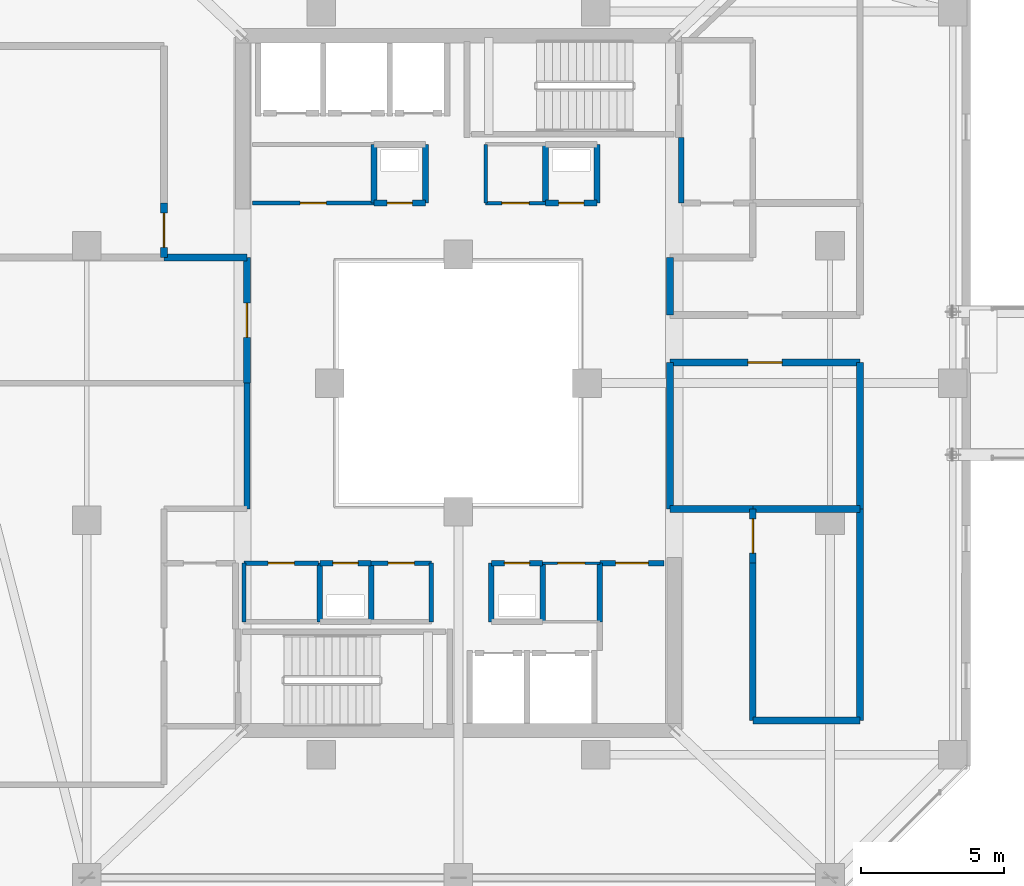
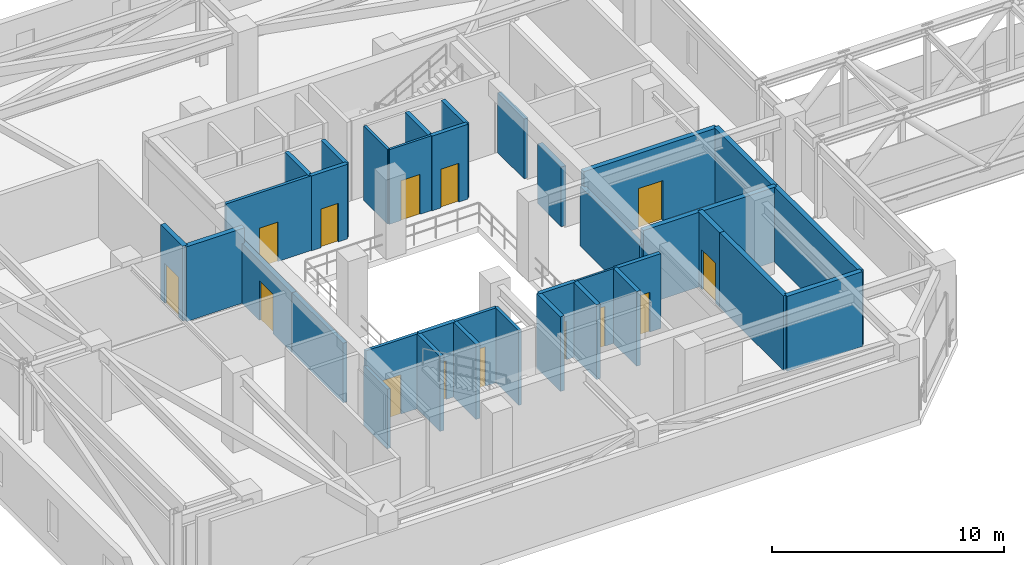
# One storey, part 34 of 42: 37 walls, 14 doors, 14 openings.
"""IFC4 building model written with IfcOpenShell, lengths in metres."""

from ifc_helpers import new_model, si_unit, direction, frame, frame_2d, origin, place, context, subcontext, project, spatial, rectangle, extrude, material, layer, layer_set, type_object, element, fill, save


model = new_model("IFC4")

# Units and contexts
model_context = context("Model", 3, precision=1e-05, world=origin(), true_north=direction((0.0, 1.0)))
body_context = subcontext(model_context, "Body", "Model", "MODEL_VIEW")
ifc_project = project(units=[si_unit("LENGTHUNIT", "METRE"), si_unit("AREAUNIT", "SQUARE_METRE"), si_unit("VOLUMEUNIT", "CUBIC_METRE"), si_unit("PLANEANGLEUNIT", "RADIAN"), si_unit("MASSUNIT", "GRAM", prefix="KILO")], contexts=[model_context])

# Site, building, storey
site_placement = place(None, origin())
site = spatial("IfcSite", under=ifc_project, at=site_placement, CompositionType="ELEMENT")
building_placement = place(site_placement, origin())
building = spatial("IfcBuilding", under=site, at=building_placement, Name="Thornwick Lancets Civic Towers", CompositionType="ELEMENT")
storey_placement = place(building_placement, frame((0.0, 0.0, 221.699951171875)))
storey = spatial("IfcBuildingStorey", under=building, at=storey_placement, Name="L59", CompositionType="ELEMENT", Elevation=221.699951171875)

# Walls
ifc_material_1 = material(Name="Concrete blockwork C40/50", Category="masonry")
ifc_layer_1 = layer(ifc_material_1, 0.199951171875, Name="Concrete blockwork C40/50")
ifc_layer_set_1 = layer_set([ifc_layer_1], Name="Concrete blockwork C40/50")
wall_type_1 = type_object("IfcWallType", Name="WALL_COMP_200", PredefinedType="STANDARD", material=ifc_layer_set_1)
wall_1_placement = place(storey_placement, frame((33.300048828125, 35.60009765625, 0.0), z_axis=(0.0, 0.0, 1.0), x_axis=(0.0, -1.0, 0.0)))
element("IfcWall", 1, at=wall_1_placement, inside=storey, type_object=wall_type_1, Name="L59 Partition L59-A-FFLOB2 E4", PredefinedType="STANDARD", context=body_context, shape_type="SweptSolid", body=[
    extrude(rectangle(XDim=2.300048828125, YDim=0.199951171875, at=frame_2d((1.14990234375, 0.0))), origin(), (0.0, 0.0, 1.0), 3.14501953125),
])
wall_2_placement = place(storey_placement, frame((28.449951171875, 18.64990234375, 0.0), z_axis=(0.0, 0.0, 1.0), x_axis=(0.0, 1.0, 0.0)))
element("IfcWall", 2, at=wall_2_placement, inside=storey, type_object=wall_type_1, Name="L59 Partition L59-A-DUCT1 E2", PredefinedType="STANDARD", context=body_context, shape_type="SweptSolid", body=[
    extrude(rectangle(XDim=2.050048828125, YDim=0.199951171875, at=frame_2d((1.02490234375, 0.0))), origin(), (0.0, 0.0, 1.0), 3.93994140625),
])

# Wall, opening, door
wall_3_placement = place(storey_placement, frame((28.449951171875, 20.699951171875, 0.0), z_axis=(0.0, 0.0, 1.0), x_axis=(-1.0, 0.0, 0.0)))
wall_3 = element("IfcWall", 3, at=wall_3_placement, inside=storey, type_object=wall_type_1, Name="L59 Partition L59-A-DUCT1 E3", PredefinedType="STANDARD", context=body_context, shape_type="SweptSolid", body=[
    extrude(rectangle(XDim=1.800048828125, YDim=0.199951171875, at=frame_2d((0.89990234375, 0.0))), origin(), (0.0, 0.0, 1.0), 3.93994140625),
])
opening_1_placement = place(wall_3_placement, frame((0.4599609375, 0.0, 0.0)))
opening_1 = element("IfcOpeningElement", 4, at=opening_1_placement, cuts=wall_3, Name="Opening D-L59-2641", PredefinedType="OPENING", context=body_context, shape_type="SweptSolid", body=[
    extrude(rectangle(XDim=0.8798828125, YDim=2.0400390625, at=frame_2d((0.43994140625, 1.02001953125))), frame((0.0, 0.10986328125, 0.0), z_axis=(0.0, -1.0, 0.0), x_axis=(1.0, 0.0, 0.0)), (0.0, 0.0, 1.0), 0.219970703125),
])
ifc_material_2 = material(Name="Steel riser access doorset", Category="steel")
door_type_1 = type_object("IfcDoorType", Name="DOOR_RISER_850", OperationType="NOTDEFINED", PredefinedType="DOOR", material=ifc_material_2)
door_1_placement = place(opening_1_placement, origin())
door_1 = element("IfcDoor", 5, at=door_1_placement, inside=storey, type_object=door_type_1, Name="L59 South Service Duct 1 Door", OperationType="SINGLE_SWING_RIGHT", OverallHeight=2.0400390625, OverallWidth=0.8798828125, PredefinedType="DOOR", context=body_context, shape_type="SweptSolid", body=[
    extrude(rectangle(XDim=0.8798828125, YDim=2.0400390625, at=frame_2d((0.43994140625, 1.02001953125))), frame((0.0, 0.02490234375, 0.0), z_axis=(0.0, -1.0, 0.0), x_axis=(1.0, 0.0, 0.0)), (0.0, 0.0, 1.0), 0.050048828125),
])
fill(opening_1, door_1)

# Walls
for number, where, z_axis, x_axis, name in (
    (6, (26.64990234375, 20.699951171875, 0.0), (0.0, 0.0, 1.0), (0.0, -1.0, 0.0), "L59 Partition L59-A-DUCT1 E4"),
    (7, (22.449951171875, 18.64990234375, 0.0), (0.0, 0.0, 1.0), (0.0, 1.0, 0.0), "L59 Partition L59-A-RISER1 E2"),
):
    element("IfcWall", number, at=place(storey_placement, frame(where, z_axis=z_axis, x_axis=x_axis)), inside=storey, type_object=wall_type_1, Name=name, PredefinedType="STANDARD", context=body_context, shape_type="SweptSolid", body=[
        extrude(rectangle(XDim=2.050048828125, YDim=0.199951171875, at=frame_2d((1.02490234375, 0.0))), origin(), (0.0, 0.0, 1.0), 3.93994140625),
    ])

# Wall, opening, door
wall_4_placement = place(storey_placement, frame((22.449951171875, 20.699951171875, 0.0), z_axis=(0.0, 0.0, 1.0), x_axis=(-1.0, 0.0, 0.0)))
wall_4 = element("IfcWall", 8, at=wall_4_placement, inside=storey, type_object=wall_type_1, Name="L59 Partition L59-A-RISER1 E3", PredefinedType="STANDARD", context=body_context, shape_type="SweptSolid", body=[
    extrude(rectangle(XDim=1.800048828125, YDim=0.199951171875, at=frame_2d((0.89990234375, 0.0))), origin(), (0.0, 0.0, 1.0), 3.93994140625),
])
opening_2_placement = place(wall_4_placement, frame((0.4599609375, 0.0, 0.0)))
opening_2 = element("IfcOpeningElement", 9, at=opening_2_placement, cuts=wall_4, Name="Opening D-L59-2642", PredefinedType="OPENING", context=body_context, shape_type="SweptSolid", body=[
    extrude(rectangle(XDim=0.8798828125, YDim=2.0400390625, at=frame_2d((0.43994140625, 1.02001953125))), frame((0.0, 0.10986328125, 0.0), z_axis=(0.0, -1.0, 0.0), x_axis=(1.0, 0.0, 0.0)), (0.0, 0.0, 1.0), 0.219970703125),
])
door_2_placement = place(opening_2_placement, origin())
door_2 = element("IfcDoor", 10, at=door_2_placement, inside=storey, type_object=door_type_1, Name="L59 South Electrical Riser 1 Door", OperationType="SINGLE_SWING_LEFT", OverallHeight=2.0400390625, OverallWidth=0.8798828125, PredefinedType="DOOR", context=body_context, shape_type="SweptSolid", body=[
    extrude(rectangle(XDim=0.8798828125, YDim=2.0400390625, at=frame_2d((0.43994140625, 1.02001953125))), frame((0.0, 0.02490234375, 0.0), z_axis=(0.0, -1.0, 0.0), x_axis=(1.0, 0.0, 0.0)), (0.0, 0.0, 1.0), 0.050048828125),
])
fill(opening_2, door_2)

# Wall
wall_5_placement = place(storey_placement, frame((20.64990234375, 20.699951171875, 0.0), z_axis=(0.0, 0.0, 1.0), x_axis=(0.0, -1.0, 0.0)))
element("IfcWall", 11, at=wall_5_placement, inside=storey, type_object=wall_type_1, Name="L59 Partition L59-A-RISER1 E4", PredefinedType="STANDARD", context=body_context, shape_type="SweptSolid", body=[
    extrude(rectangle(XDim=2.050048828125, YDim=0.199951171875, at=frame_2d((1.02490234375, 0.0))), origin(), (0.0, 0.0, 1.0), 3.93994140625),
])

# Wall, opening, door
wall_6_placement = place(storey_placement, frame((22.550048828125, 33.300048828125, 0.0), z_axis=(0.0, 0.0, 1.0), x_axis=(1.0, 0.0, 0.0)))
wall_6 = element("IfcWall", 12, at=wall_6_placement, inside=storey, type_object=wall_type_1, Name="L59 Partition L59-A-DUCT2 E1", PredefinedType="STANDARD", context=body_context, shape_type="SweptSolid", body=[
    extrude(rectangle(XDim=1.800048828125, YDim=0.199951171875, at=frame_2d((0.89990234375, 0.0))), origin(), (0.0, 0.0, 1.0), 3.93994140625),
])
opening_3_placement = place(wall_6_placement, frame((0.4599609375, 0.0, 0.0)))
opening_3 = element("IfcOpeningElement", 13, at=opening_3_placement, cuts=wall_6, Name="Opening D-L59-2643", PredefinedType="OPENING", context=body_context, shape_type="SweptSolid", body=[
    extrude(rectangle(XDim=0.8798828125, YDim=2.0400390625, at=frame_2d((0.43994140625, 1.02001953125))), frame((0.0, 0.10986328125, 0.0), z_axis=(0.0, -1.0, 0.0), x_axis=(1.0, 0.0, 0.0)), (0.0, 0.0, 1.0), 0.219970703125),
])
door_3_placement = place(opening_3_placement, origin())
door_3 = element("IfcDoor", 14, at=door_3_placement, inside=storey, type_object=door_type_1, Name="L59 North Service Duct 2 Door", OperationType="SINGLE_SWING_RIGHT", OverallHeight=2.0400390625, OverallWidth=0.8798828125, PredefinedType="DOOR", context=body_context, shape_type="SweptSolid", body=[
    extrude(rectangle(XDim=0.8798828125, YDim=2.0400390625, at=frame_2d((0.43994140625, 1.02001953125))), frame((0.0, 0.02490234375, 0.0), z_axis=(0.0, -1.0, 0.0), x_axis=(1.0, 0.0, 0.0)), (0.0, 0.0, 1.0), 0.050048828125),
])
fill(opening_3, door_3)

# Walls
for number, where, z_axis, x_axis, name in (
    (15, (24.35009765625, 33.300048828125, 0.0), (0.0, 0.0, 1.0), (0.0, 1.0, 0.0), "L59 Partition L59-A-DUCT2 E2"),
    (16, (22.550048828125, 35.35009765625, 0.0), (0.0, 0.0, 1.0), (0.0, -1.0, 0.0), "L59 Partition L59-A-DUCT2 E4"),
):
    element("IfcWall", number, at=place(storey_placement, frame(where, z_axis=z_axis, x_axis=x_axis)), inside=storey, type_object=wall_type_1, Name=name, PredefinedType="STANDARD", context=body_context, shape_type="SweptSolid", body=[
        extrude(rectangle(XDim=2.050048828125, YDim=0.199951171875, at=frame_2d((1.02490234375, 0.0))), origin(), (0.0, 0.0, 1.0), 3.93994140625),
    ])

# Wall, opening, door
wall_7_placement = place(storey_placement, frame((28.550048828125, 33.300048828125, 0.0), z_axis=(0.0, 0.0, 1.0), x_axis=(1.0, 0.0, 0.0)))
wall_7 = element("IfcWall", 17, at=wall_7_placement, inside=storey, type_object=wall_type_1, Name="L59 Partition L59-A-RISER2 E1", PredefinedType="STANDARD", context=body_context, shape_type="SweptSolid", body=[
    extrude(rectangle(XDim=1.800048828125, YDim=0.199951171875, at=frame_2d((0.89990234375, 0.0))), origin(), (0.0, 0.0, 1.0), 3.93994140625),
])
opening_4_placement = place(wall_7_placement, frame((0.4599609375, 0.0, 0.0)))
opening_4 = element("IfcOpeningElement", 18, at=opening_4_placement, cuts=wall_7, Name="Opening D-L59-2644", PredefinedType="OPENING", context=body_context, shape_type="SweptSolid", body=[
    extrude(rectangle(XDim=0.8798828125, YDim=2.0400390625, at=frame_2d((0.43994140625, 1.02001953125))), frame((0.0, 0.10986328125, 0.0), z_axis=(0.0, -1.0, 0.0), x_axis=(1.0, 0.0, 0.0)), (0.0, 0.0, 1.0), 0.219970703125),
])
door_4_placement = place(opening_4_placement, origin())
door_4 = element("IfcDoor", 19, at=door_4_placement, inside=storey, type_object=door_type_1, Name="L59 North Service Riser 2 Door", OperationType="SINGLE_SWING_LEFT", OverallHeight=2.0400390625, OverallWidth=0.8798828125, PredefinedType="DOOR", context=body_context, shape_type="SweptSolid", body=[
    extrude(rectangle(XDim=0.8798828125, YDim=2.0400390625, at=frame_2d((0.43994140625, 1.02001953125))), frame((0.0, 0.02490234375, 0.0), z_axis=(0.0, -1.0, 0.0), x_axis=(1.0, 0.0, 0.0)), (0.0, 0.0, 1.0), 0.050048828125),
])
fill(opening_4, door_4)

# Walls
for number, where, z_axis, x_axis, name in (
    (20, (30.35009765625, 33.300048828125, 0.0), (0.0, 0.0, 1.0), (0.0, 1.0, 0.0), "L59 Partition L59-A-RISER2 E2"),
    (21, (28.550048828125, 35.35009765625, 0.0), (0.0, 0.0, 1.0), (0.0, -1.0, 0.0), "L59 Partition L59-A-RISER2 E4"),
    (22, (30.449951171875, 18.64990234375, 0.0), (0.0, 0.0, 1.0), (0.0, 1.0, 0.0), "L59 Partition L59-A-ITR2 E4"),
):
    element("IfcWall", number, at=place(storey_placement, frame(where, z_axis=z_axis, x_axis=x_axis)), inside=storey, type_object=wall_type_1, Name=name, PredefinedType="STANDARD", context=body_context, shape_type="SweptSolid", body=[
        extrude(rectangle(XDim=2.050048828125, YDim=0.199951171875, at=frame_2d((1.02490234375, 0.0))), origin(), (0.0, 0.0, 1.0), 3.93994140625),
    ])

# Wall, opening, door
wall_8_placement = place(storey_placement, frame((30.449951171875, 20.699951171875, 0.0), z_axis=(0.0, 0.0, 1.0), x_axis=(1.0, 0.0, 0.0)))
wall_8 = element("IfcWall", 23, at=wall_8_placement, inside=storey, type_object=wall_type_1, Name="L59 Partition L59-A-ITR2 E5", PredefinedType="STANDARD", context=body_context, shape_type="SweptSolid", body=[
    extrude(rectangle(XDim=2.25, YDim=0.199951171875, at=frame_2d((1.125, 0.0))), origin(), (0.0, 0.0, 1.0), 3.93994140625),
])
opening_5_placement = place(wall_8_placement, frame((0.550048828125, 0.0, 0.0)))
opening_5 = element("IfcOpeningElement", 24, at=opening_5_placement, cuts=wall_8, Name="Opening D-L59-2648", PredefinedType="OPENING", context=body_context, shape_type="SweptSolid", body=[
    extrude(rectangle(XDim=1.14990234375, YDim=2.10009765625, at=frame_2d((0.574951171875, 1.050048828125))), frame((0.0, 0.10986328125, 0.0), z_axis=(0.0, -1.0, 0.0), x_axis=(1.0, 0.0, 0.0)), (0.0, 0.0, 1.0), 0.219970703125),
])
ifc_material_3 = material(Name="Glazed fire-resisting steel", Category="steel")
door_type_2 = type_object("IfcDoorType", Name="DOOR_LOBBY_FD60", OperationType="NOTDEFINED", PredefinedType="DOOR", material=ifc_material_3)
door_5_placement = place(opening_5_placement, origin())
door_5 = element("IfcDoor", 25, at=door_5_placement, inside=storey, type_object=door_type_2, Name="L59 Tower A Statutory Core Archive Door", OperationType="SINGLE_SWING_LEFT", OverallHeight=2.10009765625, OverallWidth=1.14990234375, PredefinedType="DOOR", context=body_context, shape_type="SweptSolid", body=[
    extrude(rectangle(XDim=1.14990234375, YDim=2.10009765625, at=frame_2d((0.574951171875, 1.050048828125))), frame((0.0, 0.02490234375, 0.0), z_axis=(0.0, -1.0, 0.0), x_axis=(1.0, 0.0, 0.0)), (0.0, 0.0, 1.0), 0.050048828125),
])
fill(opening_5, door_5)

# Wall
wall_9_placement = place(storey_placement, frame((18.10009765625, 27.0, 0.0), z_axis=(0.0, 0.0, 1.0), x_axis=(0.0, -1.0, 0.0)))
element("IfcWall", 26, at=wall_9_placement, inside=storey, type_object=wall_type_1, Name="L59 Partition L59-A-REF1 E15", PredefinedType="STANDARD", context=body_context, shape_type="SweptSolid", body=[
    extrude(rectangle(XDim=4.39990234375, YDim=0.199951171875, at=frame_2d((2.199951171875, 0.0))), origin(), (0.0, 0.0, 1.0), 3.14501953125),
])

# Wall, opening, door
ifc_layer_2 = layer(ifc_material_1, 0.239990234375, Name="Concrete blockwork C40/50")
ifc_layer_set_2 = layer_set([ifc_layer_2], Name="Concrete blockwork C40/50")
wall_type_2 = type_object("IfcWallType", Name="WALL_COMP_240", PredefinedType="STANDARD", material=ifc_layer_set_2)
wall_10_placement = place(storey_placement, frame((32.89990234375, 27.719970703125, 0.0), z_axis=(0.0, 0.0, 1.0), x_axis=(1.0, 0.0, 0.0)))
wall_10 = element("IfcWall", 27, at=wall_10_placement, inside=storey, type_object=wall_type_2, Name="L59 Partition L59-A-PL-SMK E1", PredefinedType="STANDARD", context=body_context, shape_type="SweptSolid", body=[
    extrude(rectangle(XDim=6.650146484375, YDim=0.239990234375, at=frame_2d((3.3251953125, 0.0))), origin(), (0.0, 0.0, 1.0), 3.93994140625),
])
opening_6_placement = place(wall_10_placement, frame((2.72509765625, 0.0, 0.0)))
opening_6 = element("IfcOpeningElement", 28, at=opening_6_placement, cuts=wall_10, Name="Opening D-L59-2663", PredefinedType="OPENING", context=body_context, shape_type="SweptSolid", body=[
    extrude(rectangle(XDim=1.199951171875, YDim=2.10009765625, at=frame_2d((0.60009765625, 1.050048828125))), frame((0.0, 0.1298828125, 0.0), z_axis=(0.0, -1.0, 0.0), x_axis=(1.0, 0.0, 0.0)), (0.0, 0.0, 1.0), 0.260009765625),
])
ifc_material_4 = material(Name="Steel plant room doorset", Category="steel")
door_type_3 = type_object("IfcDoorType", Name="DOOR_PLANT_1200", OperationType="NOTDEFINED", PredefinedType="DOOR", material=ifc_material_4)
door_6_placement = place(opening_6_placement, origin())
door_6 = element("IfcDoor", 29, at=door_6_placement, inside=storey, type_object=door_type_3, Name="L59 Tower A Smoke Extract Fan Plant Room Door", OperationType="SINGLE_SWING_RIGHT", OverallHeight=2.10009765625, OverallWidth=1.199951171875, PredefinedType="DOOR", context=body_context, shape_type="SweptSolid", body=[
    extrude(rectangle(XDim=1.199951171875, YDim=2.10009765625, at=frame_2d((0.60009765625, 1.050048828125))), frame((0.0, 0.02490234375, 0.0), z_axis=(0.0, -1.0, 0.0), x_axis=(1.0, 0.0, 0.0)), (0.0, 0.0, 1.0), 0.050048828125),
])
fill(opening_6, door_6)

# Walls
wall_11_placement = place(storey_placement, frame((39.550048828125, 27.719970703125, 0.0), z_axis=(0.0, 0.0, 1.0), x_axis=(0.0, -1.0, 0.0)))
element("IfcWall", 30, at=wall_11_placement, inside=storey, type_object=wall_type_2, Name="L59 Partition L59-A-PL-SMK E2", PredefinedType="STANDARD", context=body_context, shape_type="SweptSolid", body=[
    extrude(rectangle(XDim=5.119873046875, YDim=0.239990234375, at=frame_2d((2.56005859375, 0.0))), origin(), (0.0, 0.0, 1.0), 3.93994140625),
])
wall_12_placement = place(storey_placement, frame((39.550048828125, 22.60009765625, 0.0), z_axis=(0.0, 0.0, 1.0), x_axis=(-1.0, 0.0, 0.0)))
element("IfcWall", 31, at=wall_12_placement, inside=storey, type_object=wall_type_2, Name="L59 Partition L59-A-PL-SMK E3", PredefinedType="STANDARD", context=body_context, shape_type="SweptSolid", body=[
    extrude(rectangle(XDim=3.75, YDim=0.239990234375, at=frame_2d((1.875, 0.0))), origin(), (0.0, 0.0, 1.0), 3.93994140625),
])
wall_13_placement = place(storey_placement, frame((35.800048828125, 22.60009765625, 0.0), z_axis=(0.0, 0.0, 1.0), x_axis=(-1.0, 0.0, 0.0)))
element("IfcWall", 32, at=wall_13_placement, inside=storey, type_object=wall_type_2, Name="L59 Partition L59-A-PL-SMK E4", PredefinedType="STANDARD", context=body_context, shape_type="SweptSolid", body=[
    extrude(rectangle(XDim=2.900146484375, YDim=0.239990234375, at=frame_2d((1.4501953125, 0.0))), origin(), (0.0, 0.0, 1.0), 3.93994140625),
])
wall_14_placement = place(storey_placement, frame((32.89990234375, 22.60009765625, 0.0), z_axis=(0.0, 0.0, 1.0), x_axis=(0.0, 1.0, 0.0)))
element("IfcWall", 33, at=wall_14_placement, inside=storey, type_object=wall_type_2, Name="L59 Partition L59-A-PL-SMK E5", PredefinedType="STANDARD", context=body_context, shape_type="SweptSolid", body=[
    extrude(rectangle(XDim=5.119873046875, YDim=0.239990234375, at=frame_2d((2.56005859375, 0.0))), origin(), (0.0, 0.0, 1.0), 3.14501953125),
])
wall_15_placement = place(storey_placement, frame((32.89990234375, 29.3798828125, 0.0), z_axis=(0.0, 0.0, 1.0), x_axis=(0.0, 1.0, 0.0)))
element("IfcWall", 34, at=wall_15_placement, inside=storey, type_object=wall_type_2, Name="L59 Partition L59-A-PL-PRS E6", PredefinedType="STANDARD", context=body_context, shape_type="SweptSolid", body=[
    extrude(rectangle(XDim=2.02001953125, YDim=0.239990234375, at=frame_2d((1.010009765625, 0.0))), origin(), (0.0, 0.0, 1.0), 3.14501953125),
])
wall_16_placement = place(storey_placement, frame((15.199951171875, 31.39990234375, 0.0), z_axis=(0.0, 0.0, 1.0), x_axis=(1.0, 0.0, 0.0)))
element("IfcWall", 35, at=wall_16_placement, inside=storey, type_object=wall_type_2, Name="L59 Partition L59-A-PL-AHU E1", PredefinedType="STANDARD", context=body_context, shape_type="SweptSolid", body=[
    extrude(rectangle(XDim=2.900146484375, YDim=0.239990234375, at=frame_2d((1.4501953125, 0.0))), origin(), (0.0, 0.0, 1.0), 3.93994140625),
])

# Wall, opening, door
wall_17_placement = place(storey_placement, frame((18.10009765625, 31.39990234375, 0.0), z_axis=(0.0, 0.0, 1.0), x_axis=(0.0, -1.0, 0.0)))
wall_17 = element("IfcWall", 36, at=wall_17_placement, inside=storey, type_object=wall_type_2, Name="L59 Partition L59-A-PL-AHU E2", PredefinedType="STANDARD", context=body_context, shape_type="SweptSolid", body=[
    extrude(rectangle(XDim=4.39990234375, YDim=0.239990234375, at=frame_2d((2.199951171875, 0.0))), origin(), (0.0, 0.0, 1.0), 3.14501953125),
])
opening_7_placement = place(wall_17_placement, frame((1.60009765625, 0.0, 0.0)))
opening_7 = element("IfcOpeningElement", 37, at=opening_7_placement, cuts=wall_17, Name="Opening D-L59-2667", PredefinedType="OPENING", context=body_context, shape_type="SweptSolid", body=[
    extrude(rectangle(XDim=1.199951171875, YDim=2.10009765625, at=frame_2d((0.60009765625, 1.050048828125))), frame((0.0, 0.1298828125, 0.0), z_axis=(0.0, -1.0, 0.0), x_axis=(1.0, 0.0, 0.0)), (0.0, 0.0, 1.0), 0.260009765625),
])
door_7_placement = place(opening_7_placement, origin())
door_7 = element("IfcDoor", 38, at=door_7_placement, inside=storey, type_object=door_type_3, Name="L59 Tower A AHU and Ventilation Plant Room Door", OperationType="SINGLE_SWING_RIGHT", OverallHeight=2.10009765625, OverallWidth=1.199951171875, PredefinedType="DOOR", context=body_context, shape_type="SweptSolid", body=[
    extrude(rectangle(XDim=1.199951171875, YDim=2.10009765625, at=frame_2d((0.60009765625, 1.050048828125))), frame((0.0, 0.02490234375, 0.0), z_axis=(0.0, -1.0, 0.0), x_axis=(1.0, 0.0, 0.0)), (0.0, 0.0, 1.0), 0.050048828125),
])
fill(opening_7, door_7)

wall_18_placement = place(storey_placement, frame((35.800048828125, 20.699951171875, 0.0), z_axis=(0.0, 0.0, 1.0), x_axis=(0.0, 1.0, 0.0)))
wall_18 = element("IfcWall", 39, at=wall_18_placement, inside=storey, type_object=wall_type_2, Name="L59 Partition L59-A-PL-CHL E1", PredefinedType="STANDARD", context=body_context, shape_type="SweptSolid", body=[
    extrude(rectangle(XDim=1.900146484375, YDim=0.239990234375, at=frame_2d((0.9501953125, 0.0))), origin(), (0.0, 0.0, 1.0), 3.93994140625),
])
opening_8_placement = place(wall_18_placement, frame((0.35009765625, 0.0, 0.0)))
opening_8 = element("IfcOpeningElement", 40, at=opening_8_placement, cuts=wall_18, Name="Opening D-L59-2668", PredefinedType="OPENING", context=body_context, shape_type="SweptSolid", body=[
    extrude(rectangle(XDim=1.199951171875, YDim=2.10009765625, at=frame_2d((0.60009765625, 1.050048828125))), frame((0.0, 0.1298828125, 0.0), z_axis=(0.0, -1.0, 0.0), x_axis=(1.0, 0.0, 0.0)), (0.0, 0.0, 1.0), 0.260009765625),
])
door_8_placement = place(opening_8_placement, origin())
door_8 = element("IfcDoor", 41, at=door_8_placement, inside=storey, type_object=door_type_3, Name="L59 Tower A Chiller and Heat-Pump Plant Room Door", OperationType="SINGLE_SWING_LEFT", OverallHeight=2.10009765625, OverallWidth=1.199951171875, PredefinedType="DOOR", context=body_context, shape_type="SweptSolid", body=[
    extrude(rectangle(XDim=1.199951171875, YDim=2.10009765625, at=frame_2d((0.60009765625, 1.050048828125))), frame((0.0, 0.02490234375, 0.0), z_axis=(0.0, -1.0, 0.0), x_axis=(1.0, 0.0, 0.0)), (0.0, 0.0, 1.0), 0.050048828125),
])
fill(opening_8, door_8)

# Walls
wall_19_placement = place(storey_placement, frame((39.550048828125, 22.60009765625, 0.0), z_axis=(0.0, 0.0, 1.0), x_axis=(0.0, -1.0, 0.0)))
element("IfcWall", 42, at=wall_19_placement, inside=storey, type_object=wall_type_2, Name="L59 Partition L59-A-PL-CHL E3", PredefinedType="STANDARD", context=body_context, shape_type="SweptSolid", body=[
    extrude(rectangle(XDim=7.400146484375, YDim=0.239990234375, at=frame_2d((3.7001953125, 0.0))), origin(), (0.0, 0.0, 1.0), 3.93994140625),
])
wall_20_placement = place(storey_placement, frame((39.550048828125, 15.199951171875, 0.0), z_axis=(0.0, 0.0, 1.0), x_axis=(-1.0, 0.0, 0.0)))
element("IfcWall", 43, at=wall_20_placement, inside=storey, type_object=wall_type_2, Name="L59 Partition L59-A-PL-CHL E4", PredefinedType="STANDARD", context=body_context, shape_type="SweptSolid", body=[
    extrude(rectangle(XDim=3.75, YDim=0.239990234375, at=frame_2d((1.875, 0.0))), origin(), (0.0, 0.0, 1.0), 3.93994140625),
])
wall_21_placement = place(storey_placement, frame((35.800048828125, 15.199951171875, 0.0), z_axis=(0.0, 0.0, 1.0), x_axis=(0.0, 1.0, 0.0)))
element("IfcWall", 44, at=wall_21_placement, inside=storey, type_object=wall_type_2, Name="L59 Partition L59-A-PL-CHL E5", PredefinedType="STANDARD", context=body_context, shape_type="SweptSolid", body=[
    extrude(rectangle(XDim=5.5, YDim=0.239990234375, at=frame_2d((2.75, 0.0))), origin(), (0.0, 0.0, 1.0), 3.93994140625),
])

# Wall, opening, door
wall_22_placement = place(storey_placement, frame((15.199951171875, 33.300048828125, 0.0), z_axis=(0.0, 0.0, 1.0), x_axis=(0.0, -1.0, 0.0)))
wall_22 = element("IfcWall", 45, at=wall_22_placement, inside=storey, type_object=wall_type_2, Name="L59 Partition L59-A-PL-ELC E3", PredefinedType="STANDARD", context=body_context, shape_type="SweptSolid", body=[
    extrude(rectangle(XDim=1.900146484375, YDim=0.239990234375, at=frame_2d((0.9501953125, 0.0))), origin(), (0.0, 0.0, 1.0), 3.93994140625),
])
opening_9_placement = place(wall_22_placement, frame((0.35009765625, 0.0, 0.0)))
opening_9 = element("IfcOpeningElement", 46, at=opening_9_placement, cuts=wall_22, Name="Opening D-L59-2669", PredefinedType="OPENING", context=body_context, shape_type="SweptSolid", body=[
    extrude(rectangle(XDim=1.199951171875, YDim=2.10009765625, at=frame_2d((0.60009765625, 1.050048828125))), frame((0.0, 0.1298828125, 0.0), z_axis=(0.0, -1.0, 0.0), x_axis=(1.0, 0.0, 0.0)), (0.0, 0.0, 1.0), 0.260009765625),
])
door_9_placement = place(opening_9_placement, origin())
door_9 = element("IfcDoor", 47, at=door_9_placement, inside=storey, type_object=door_type_3, Name="L59 Tower A LV Switchgear Room Door", OperationType="SINGLE_SWING_RIGHT", OverallHeight=2.10009765625, OverallWidth=1.199951171875, PredefinedType="DOOR", context=body_context, shape_type="SweptSolid", body=[
    extrude(rectangle(XDim=1.199951171875, YDim=2.10009765625, at=frame_2d((0.60009765625, 1.050048828125))), frame((0.0, 0.02490234375, 0.0), z_axis=(0.0, -1.0, 0.0), x_axis=(1.0, 0.0, 0.0)), (0.0, 0.0, 1.0), 0.050048828125),
])
fill(opening_9, door_9)

ifc_material_5 = material(Name="Lightweight cellular office partition")
ifc_layer_3 = layer(ifc_material_5, 0.10009765625, Name="Lightweight cellular office partition")
ifc_layer_set_3 = layer_set([ifc_layer_3], Name="Lightweight cellular office partition")
wall_type_3 = type_object("IfcWallType", Name="WALL_PART_100", PredefinedType="PARTITIONING", material=ifc_layer_set_3)
wall_23_placement = place(storey_placement, frame((28.449951171875, 20.699951171875, 0.0), z_axis=(0.0, 0.0, 1.0), x_axis=(1.0, 0.0, 0.0)))
wall_23 = element("IfcWall", 48, at=wall_23_placement, inside=storey, type_object=wall_type_3, Name="L59 Partition L59-A-CLN E4", PredefinedType="PARTITIONING", context=body_context, shape_type="SweptSolid", body=[
    extrude(rectangle(XDim=2.0, YDim=0.10009765625, at=frame_2d((1.0, 0.0))), origin(), (0.0, 0.0, 1.0), 3.93994140625),
])
opening_10_placement = place(wall_23_placement, frame((0.52490234375, 0.0, 0.0)))
opening_10 = element("IfcOpeningElement", 49, at=opening_10_placement, cuts=wall_23, Name="Opening D-L59-2647", PredefinedType="OPENING", context=body_context, shape_type="SweptSolid", body=[
    extrude(rectangle(XDim=0.949951171875, YDim=2.10009765625, at=frame_2d((0.47509765625, 1.050048828125))), frame((0.0, 0.06005859375, 0.0), z_axis=(0.0, -1.0, 0.0), x_axis=(1.0, 0.0, 0.0)), (0.0, 0.0, 1.0), 0.1201171875),
])
ifc_material_6 = material(Name="European oak acoustic doorset")
door_type_4 = type_object("IfcDoorType", Name="DOOR_OFFICE_950", OperationType="NOTDEFINED", PredefinedType="DOOR", material=ifc_material_6)
door_10_placement = place(opening_10_placement, origin())
door_10 = element("IfcDoor", 50, at=door_10_placement, inside=storey, type_object=door_type_4, Name="L59 Tower A Cleaners Store Door", OperationType="SINGLE_SWING_RIGHT", OverallHeight=2.10009765625, OverallWidth=0.949951171875, PredefinedType="DOOR", context=body_context, shape_type="SweptSolid", body=[
    extrude(rectangle(XDim=0.949951171875, YDim=2.10009765625, at=frame_2d((0.47509765625, 1.050048828125))), frame((0.0, 0.02490234375, 0.0), z_axis=(0.0, -1.0, 0.0), x_axis=(1.0, 0.0, 0.0)), (0.0, 0.0, 1.0), 0.050048828125),
])
fill(opening_10, door_10)

# Wall
ifc_material_7 = material(Name="Acoustic gypsum board partition")
ifc_layer_4 = layer(ifc_material_7, 0.1201171875, Name="Acoustic gypsum board partition")
ifc_layer_set_4 = layer_set([ifc_layer_4], Name="Acoustic gypsum board partition")
wall_type_4 = type_object("IfcWallType", Name="WALL_PART_120", PredefinedType="PARTITIONING", material=ifc_layer_set_4)
wall_24_placement = place(storey_placement, frame((26.449951171875, 33.300048828125, 0.0), z_axis=(0.0, 0.0, 1.0), x_axis=(0.0, 1.0, 0.0)))
element("IfcWall", 51, at=wall_24_placement, inside=storey, type_object=wall_type_4, Name="L59 Partition L59-A-ITR E1", PredefinedType="PARTITIONING", context=body_context, shape_type="SweptSolid", body=[
    extrude(rectangle(XDim=2.050048828125, YDim=0.1201171875, at=frame_2d((1.02490234375, 0.0))), origin(), (0.0, 0.0, 1.0), 3.93994140625),
])

# Wall, opening, door
wall_25_placement = place(storey_placement, frame((28.550048828125, 33.300048828125, 0.0), z_axis=(0.0, 0.0, 1.0), x_axis=(-1.0, 0.0, 0.0)))
wall_25 = element("IfcWall", 52, at=wall_25_placement, inside=storey, type_object=wall_type_4, Name="L59 Partition L59-A-ITR E4", PredefinedType="PARTITIONING", context=body_context, shape_type="SweptSolid", body=[
    extrude(rectangle(XDim=2.10009765625, YDim=0.1201171875, at=frame_2d((1.050048828125, 0.0))), origin(), (0.0, 0.0, 1.0), 3.93994140625),
])
opening_11_placement = place(wall_25_placement, frame((0.574951171875, 0.0, 0.0)))
opening_11 = element("IfcOpeningElement", 53, at=opening_11_placement, cuts=wall_25, Name="Opening D-L59-2650", PredefinedType="OPENING", context=body_context, shape_type="SweptSolid", body=[
    extrude(rectangle(XDim=0.949951171875, YDim=2.10009765625, at=frame_2d((0.47509765625, 1.050048828125))), frame((0.0, 0.070068359375, 0.0), z_axis=(0.0, -1.0, 0.0), x_axis=(1.0, 0.0, 0.0)), (0.0, 0.0, 1.0), 0.14013671875),
])
door_11_placement = place(opening_11_placement, origin())
door_11 = element("IfcDoor", 54, at=door_11_placement, inside=storey, type_object=door_type_4, Name="L59 Tower A Comms Patch Room Door", OperationType="SINGLE_SWING_LEFT", OverallHeight=2.10009765625, OverallWidth=0.949951171875, PredefinedType="DOOR", context=body_context, shape_type="SweptSolid", body=[
    extrude(rectangle(XDim=0.949951171875, YDim=2.10009765625, at=frame_2d((0.47509765625, 1.050048828125))), frame((0.0, 0.02490234375, 0.0), z_axis=(0.0, -1.0, 0.0), x_axis=(1.0, 0.0, 0.0)), (0.0, 0.0, 1.0), 0.050048828125),
])
fill(opening_11, door_11)

ifc_material_8 = material(Name="Twin-stud acoustic gypsum board")
ifc_layer_5 = layer(ifc_material_8, 0.14990234375, Name="Twin-stud acoustic gypsum board")
ifc_layer_set_5 = layer_set([ifc_layer_5], Name="Twin-stud acoustic gypsum board")
wall_type_5 = type_object("IfcWallType", Name="WALL_PART_150", PredefinedType="PARTITIONING", material=ifc_layer_set_5)
wall_26_placement = place(storey_placement, frame((20.60009765625, 20.699951171875, 0.0), z_axis=(0.0, 0.0, 1.0), x_axis=(-1.0, 0.0, 0.0)))
wall_26 = element("IfcWall", 55, at=wall_26_placement, inside=storey, type_object=wall_type_5, Name="L59 Partition L59-A-MWC E3", PredefinedType="PARTITIONING", context=body_context, shape_type="SweptSolid", body=[
    extrude(rectangle(XDim=2.60009765625, YDim=0.14990234375, at=frame_2d((1.300048828125, 0.0))), origin(), (0.0, 0.0, 1.0), 3.93994140625),
])
opening_12_placement = place(wall_26_placement, frame((0.840087890625, 0.0, 0.0)))
opening_12 = element("IfcOpeningElement", 56, at=opening_12_placement, cuts=wall_26, Name="Opening D-L59-2645", PredefinedType="OPENING", context=body_context, shape_type="SweptSolid", body=[
    extrude(rectangle(XDim=0.919921875, YDim=2.080078125, at=frame_2d((0.4599609375, 1.0400390625))), frame((0.0, 0.0849609375, 0.0), z_axis=(0.0, -1.0, 0.0), x_axis=(1.0, 0.0, 0.0)), (0.0, 0.0, 1.0), 0.169921875),
])
ifc_material_9 = material(Name="Moisture-resistant oak doorset")
door_type_5 = type_object("IfcDoorType", Name="DOOR_WC_900", OperationType="NOTDEFINED", PredefinedType="DOOR", material=ifc_material_9)
door_12_placement = place(opening_12_placement, origin())
door_12 = element("IfcDoor", 57, at=door_12_placement, inside=storey, type_object=door_type_5, Name="L59 Tower A Male WC Door", OperationType="SINGLE_SWING_RIGHT", OverallHeight=2.080078125, OverallWidth=0.919921875, PredefinedType="DOOR", context=body_context, shape_type="SweptSolid", body=[
    extrude(rectangle(XDim=0.919921875, YDim=2.080078125, at=frame_2d((0.4599609375, 1.0400390625))), frame((0.0, 0.02490234375, 0.0), z_axis=(0.0, -1.0, 0.0), x_axis=(1.0, 0.0, 0.0)), (0.0, 0.0, 1.0), 0.050048828125),
])
fill(opening_12, door_12)

# Walls
wall_27_placement = place(storey_placement, frame((18.0, 20.699951171875, 0.0), z_axis=(0.0, 0.0, 1.0), x_axis=(0.0, -1.0, 0.0)))
element("IfcWall", 58, at=wall_27_placement, inside=storey, type_object=wall_type_5, Name="L59 Partition L59-A-MWC E4", PredefinedType="PARTITIONING", context=body_context, shape_type="SweptSolid", body=[
    extrude(rectangle(XDim=2.050048828125, YDim=0.14990234375, at=frame_2d((1.02490234375, 0.0))), origin(), (0.0, 0.0, 1.0), 3.14501953125),
])
wall_28_placement = place(storey_placement, frame((24.550048828125, 20.699951171875, 0.0), z_axis=(0.0, 0.0, 1.0), x_axis=(0.0, -1.0, 0.0)))
element("IfcWall", 59, at=wall_28_placement, inside=storey, type_object=wall_type_5, Name="L59 Partition L59-A-AWC E1", PredefinedType="PARTITIONING", context=body_context, shape_type="SweptSolid", body=[
    extrude(rectangle(XDim=2.050048828125, YDim=0.14990234375, at=frame_2d((1.02490234375, 0.0))), origin(), (0.0, 0.0, 1.0), 3.93994140625),
])

# Wall, opening, door
wall_29_placement = place(storey_placement, frame((22.449951171875, 20.699951171875, 0.0), z_axis=(0.0, 0.0, 1.0), x_axis=(1.0, 0.0, 0.0)))
wall_29 = element("IfcWall", 60, at=wall_29_placement, inside=storey, type_object=wall_type_5, Name="L59 Partition L59-A-AWC E4", PredefinedType="PARTITIONING", context=body_context, shape_type="SweptSolid", body=[
    extrude(rectangle(XDim=2.10009765625, YDim=0.14990234375, at=frame_2d((1.050048828125, 0.0))), origin(), (0.0, 0.0, 1.0), 3.93994140625),
])
opening_13_placement = place(wall_29_placement, frame((0.590087890625, 0.0, 0.0)))
opening_13 = element("IfcOpeningElement", 61, at=opening_13_placement, cuts=wall_29, Name="Opening D-L59-2646", PredefinedType="OPENING", context=body_context, shape_type="SweptSolid", body=[
    extrude(rectangle(XDim=0.919921875, YDim=2.080078125, at=frame_2d((0.4599609375, 1.0400390625))), frame((0.0, 0.0849609375, 0.0), z_axis=(0.0, -1.0, 0.0), x_axis=(1.0, 0.0, 0.0)), (0.0, 0.0, 1.0), 0.169921875),
])
door_13_placement = place(opening_13_placement, origin())
door_13 = element("IfcDoor", 62, at=door_13_placement, inside=storey, type_object=door_type_5, Name="L59 Tower A Accessible WC Door", OperationType="SINGLE_SWING_LEFT", OverallHeight=2.080078125, OverallWidth=0.919921875, PredefinedType="DOOR", context=body_context, shape_type="SweptSolid", body=[
    extrude(rectangle(XDim=0.919921875, YDim=2.080078125, at=frame_2d((0.4599609375, 1.0400390625))), frame((0.0, 0.02490234375, 0.0), z_axis=(0.0, -1.0, 0.0), x_axis=(1.0, 0.0, 0.0)), (0.0, 0.0, 1.0), 0.050048828125),
])
fill(opening_13, door_13)

wall_30_placement = place(storey_placement, frame((22.550048828125, 33.300048828125, 0.0), z_axis=(0.0, 0.0, 1.0), x_axis=(-1.0, 0.0, 0.0)))
wall_30 = element("IfcWall", 63, at=wall_30_placement, inside=storey, type_object=wall_type_5, Name="L59 Partition L59-A-FWC E4", PredefinedType="PARTITIONING", context=body_context, shape_type="SweptSolid", body=[
    extrude(rectangle(XDim=4.25, YDim=0.14990234375, at=frame_2d((2.125, 0.0))), origin(), (0.0, 0.0, 1.0), 3.93994140625),
])
opening_14_placement = place(wall_30_placement, frame((1.6650390625, 0.0, 0.0)))
opening_14 = element("IfcOpeningElement", 64, at=opening_14_placement, cuts=wall_30, Name="Opening D-L59-2649", PredefinedType="OPENING", context=body_context, shape_type="SweptSolid", body=[
    extrude(rectangle(XDim=0.919921875, YDim=2.080078125, at=frame_2d((0.4599609375, 1.0400390625))), frame((0.0, 0.0849609375, 0.0), z_axis=(0.0, -1.0, 0.0), x_axis=(1.0, 0.0, 0.0)), (0.0, 0.0, 1.0), 0.169921875),
])
door_14_placement = place(opening_14_placement, origin())
door_14 = element("IfcDoor", 65, at=door_14_placement, inside=storey, type_object=door_type_5, Name="L59 Tower A Female WC Door", OperationType="SINGLE_SWING_RIGHT", OverallHeight=2.080078125, OverallWidth=0.919921875, PredefinedType="DOOR", context=body_context, shape_type="SweptSolid", body=[
    extrude(rectangle(XDim=0.919921875, YDim=2.080078125, at=frame_2d((0.4599609375, 1.0400390625))), frame((0.0, 0.02490234375, 0.0), z_axis=(0.0, -1.0, 0.0), x_axis=(1.0, 0.0, 0.0)), (0.0, 0.0, 1.0), 0.050048828125),
])
fill(opening_14, door_14)

save(model, "model.ifc")
